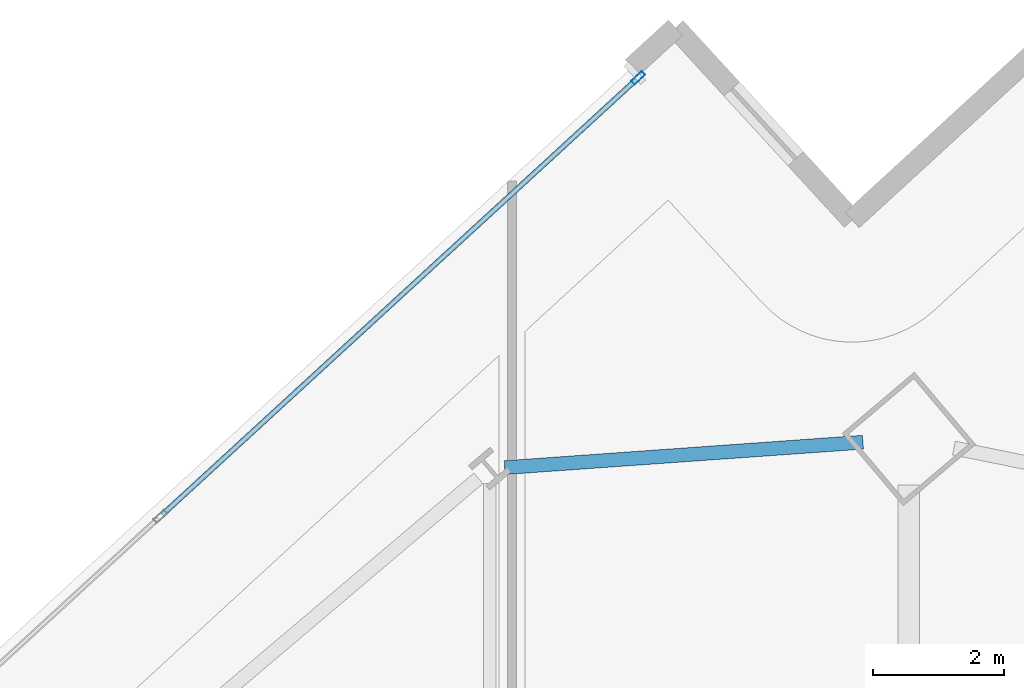
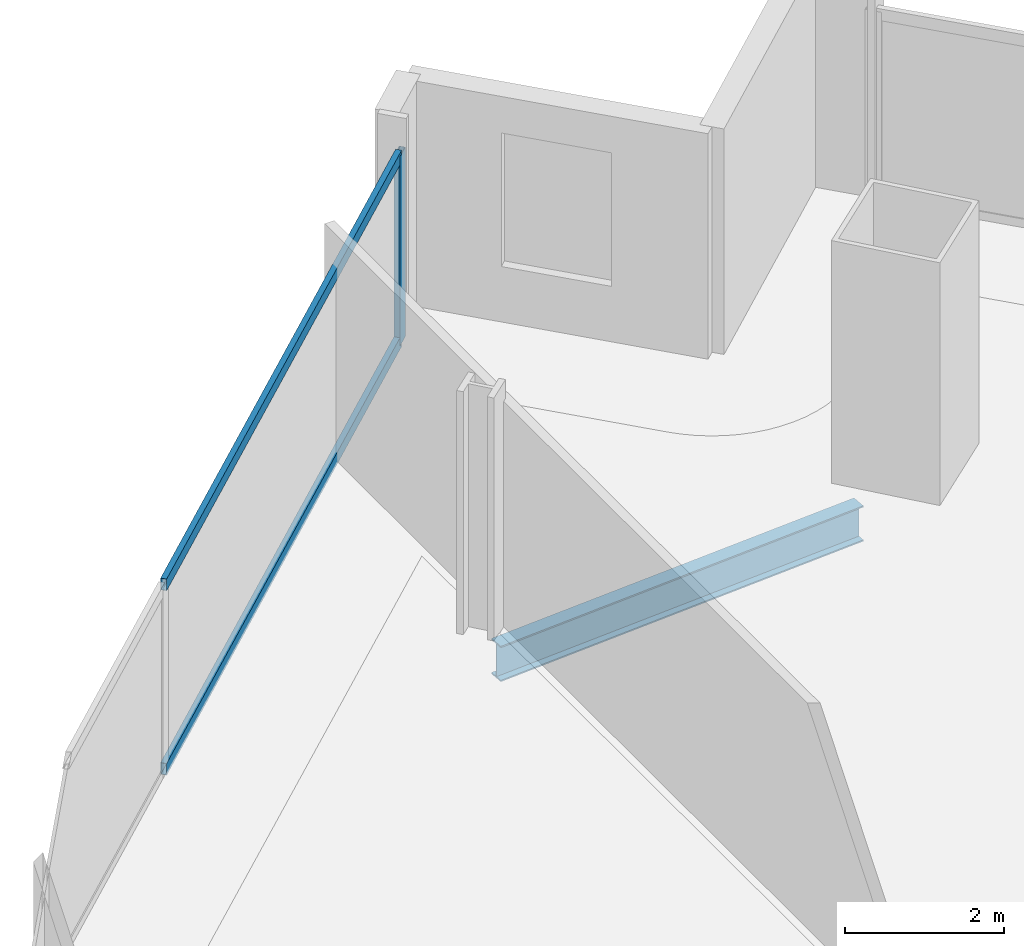
# One storey, part 18 of 32: 3 members, 1 beam, 1 element without a shape of its own.
"""IFC4 building model written with IfcOpenShell, lengths in metres."""

from ifc_helpers import new_model, si_unit, direction, frame, origin, origin_2d, place, context, subcontext, project, spatial, hollow_rectangle, i_section, extrude, material, material_profile, profile_set, type_object, element, aggregate, save


model = new_model("IFC4")

# Units and contexts
model_context = context("Model", 3, precision=1e-05, world=origin(), true_north=direction((0.0, 1.0)))
body_context = subcontext(model_context, "Body", "Model", "MODEL_VIEW")
ifc_project = project(units=[si_unit("LENGTHUNIT", "METRE"), si_unit("AREAUNIT", "SQUARE_METRE"), si_unit("VOLUMEUNIT", "CUBIC_METRE"), si_unit("PLANEANGLEUNIT", "RADIAN"), si_unit("MASSUNIT", "GRAM", prefix="KILO")], contexts=[model_context])

# Site, building, storey
site_placement = place(None, origin())
site = spatial("IfcSite", under=ifc_project, at=site_placement, CompositionType="ELEMENT")
building_placement = place(site_placement, origin())
building = spatial("IfcBuilding", under=site, at=building_placement, Name="Haldenkirk Collegiate Tower", CompositionType="ELEMENT")
storey_placement = place(building_placement, frame((0.0, 0.0, 170.699951171875)))
storey = spatial("IfcBuildingStorey", under=building, at=storey_placement, Name="L42", CompositionType="ELEMENT", Elevation=170.699951171875)

# Beam
ifc_material_1 = material(Name="Steel ASTM A992 Grade 50", Category="steel")
ifc_material_profile_1 = material_profile(ifc_material_1, i_section(OverallWidth=0.2119140625, OverallDepth=0.5439453125, WebThickness=0.01318359375, FlangeThickness=0.021240234375, at=origin_2d()), Name="W21X83")
ifc_profile_set_1 = profile_set([ifc_material_profile_1], Name="Steel ASTM A992 Grade 50")
beam_type = type_object("IfcBeamType", Name="BM-SPANDREL-W21X83", PredefinedType="SPANDREL", material=ifc_profile_set_1)
beam_placement = place(storey_placement, frame((38.373779296875, 51.025146484375, -0.56201171875), z_axis=(-0.997489017738, -0.070821320891, 0.0), x_axis=(0.070821320891, -0.997489017738, 0.0)))
element("IfcBeam", 1, at=beam_placement, inside=storey, type_object=beam_type, Name="L42 perimeter spandrel beam 09", PredefinedType="SPANDREL", context=body_context, shape_type="SweptSolid", body=[
    extrude(i_section(OverallWidth=0.2119140625, OverallDepth=0.5439453125, WebThickness=0.01318359375, FlangeThickness=0.021240234375, at=origin_2d()), origin(), (0.0, 0.0, 1.0), 5.501953125),
])

# Curtain wall, members
ifc_material_2 = material(Name="Anodised architectural bronze aluminium", Category="aluminium")
curtain_wall_type = type_object("IfcCurtainWallType", Name="CW-SYS1-CONVEX-LOW", PredefinedType="USERDEFINED", material=ifc_material_2)
curtain_wall_placement = place(storey_placement, origin())
curtain_wall = element("IfcCurtainWall", 2, at=curtain_wall_placement, inside=storey, type_object=curtain_wall_type, Name="L42 Lower tower convex bronze-framed unitised curtain wall", ObjectType="UNITISED CURTAIN WALL", PredefinedType="USERDEFINED")
ifc_material_profile_2 = material_profile(ifc_material_2, hollow_rectangle(XDim=0.080078125, YDim=0.219970703125, WallThickness=0.0048828125, at=origin_2d()), Name="CW-MUL-1A")
ifc_profile_set_2 = profile_set([ifc_material_profile_2], Name="Anodised architectural bronze aluminium")
member_type_1 = type_object("IfcMemberType", Name="CW-MUL-1A", PredefinedType="MULLION", material=ifc_profile_set_2)
member_1_placement = place(storey_placement, frame((34.931640625, 56.6064453125, 0.0), z_axis=(0.0, 0.0, 1.0), x_axis=(-0.676232341046, 0.736688415087, 0.0)))
member_1 = element("IfcMember", 3, at=member_1_placement, type_object=member_type_1, Name="CW-1A mullion 5", PredefinedType="MULLION", context=body_context, shape_type="SweptSolid", body=[
    extrude(hollow_rectangle(XDim=0.080078125, YDim=0.219970703125, WallThickness=0.0048828125, at=origin_2d()), origin(), (0.0, 0.0, 1.0), 2.9111328125),
])
ifc_material_profile_3 = material_profile(ifc_material_2, hollow_rectangle(XDim=0.080078125, YDim=0.179931640625, WallThickness=0.0048828125, at=origin_2d()), Name="CW-TRN-1A")
ifc_profile_set_3 = profile_set([ifc_material_profile_3], Name="Anodised architectural bronze aluminium")
member_type_2 = type_object("IfcMemberType", Name="CW-TRN-1A", PredefinedType="USERDEFINED", material=ifc_profile_set_3)
member_2_placement = place(storey_placement, frame((27.64208984375, 49.915283203125, 0.0400390625), z_axis=(0.73668401685, 0.67623713246, 0.0), x_axis=(-0.67623713246, 0.73668401685, 0.0)))
member_2 = element("IfcMember", 4, at=member_2_placement, type_object=member_type_2, Name="CW-1A transom 4.1", ObjectType="TRANSOM", PredefinedType="USERDEFINED", context=body_context, shape_type="SweptSolid", body=[
    extrude(hollow_rectangle(XDim=0.080078125, YDim=0.179931640625, WallThickness=0.0048828125, at=origin_2d()), origin(), (0.0, 0.0, 1.0), 9.85498046875),
])
member_3_placement = place(storey_placement, frame((27.64208984375, 49.915283203125, 2.87109375), z_axis=(0.73668401685, 0.67623713246, 0.0), x_axis=(-0.67623713246, 0.73668401685, 0.0)))
member_3 = element("IfcMember", 5, at=member_3_placement, type_object=member_type_2, Name="CW-1A transom 4.2", ObjectType="TRANSOM", PredefinedType="USERDEFINED", context=body_context, shape_type="SweptSolid", body=[
    extrude(hollow_rectangle(XDim=0.080078125, YDim=0.179931640625, WallThickness=0.0048828125, at=origin_2d()), origin(), (0.0, 0.0, 1.0), 9.85498046875),
])
aggregate(curtain_wall, [member_1, member_2, member_3])

save(model, "model.ifc")
